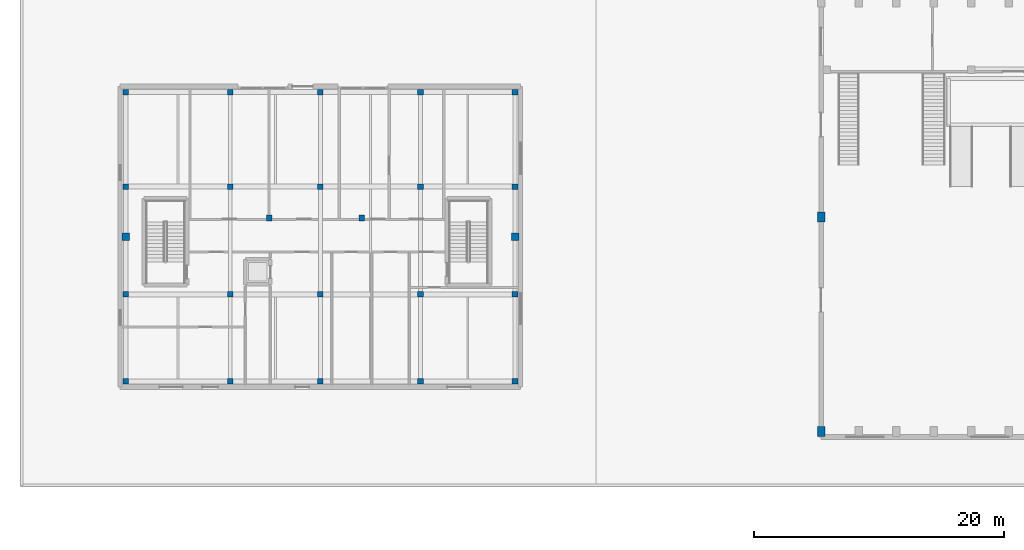
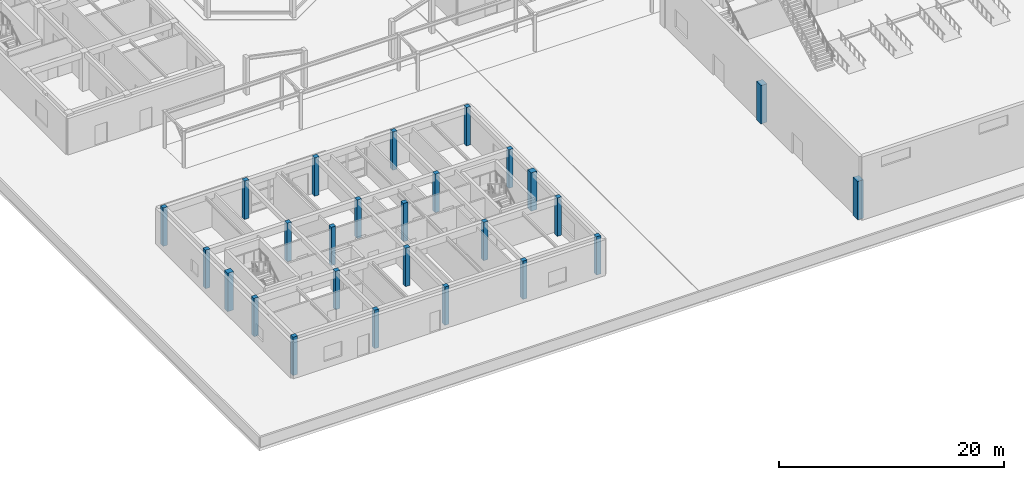
# One storey, part 1 of 114: 26 columns.
"""IFC4 building model written with IfcOpenShell, lengths in metres."""

from ifc_helpers import new_model, si_unit, direction, frame, origin, origin_2d, place, context, subcontext, project, spatial, rectangle, extrude, material, material_profile, profile_set, type_object, element, save


model = new_model("IFC4")

# Units and contexts
model_context = context("Model", 3, precision=1e-05, world=origin(), true_north=direction((0.0, 1.0)))
body_context = subcontext(model_context, "Body", "Model", "MODEL_VIEW")
ifc_project = project(units=[si_unit("LENGTHUNIT", "METRE"), si_unit("AREAUNIT", "SQUARE_METRE"), si_unit("VOLUMEUNIT", "CUBIC_METRE"), si_unit("PLANEANGLEUNIT", "RADIAN"), si_unit("MASSUNIT", "GRAM", prefix="KILO")], contexts=[model_context])

# Site, building, storey
site_placement = place(None, origin())
site = spatial("IfcSite", under=ifc_project, at=site_placement, CompositionType="ELEMENT")
building_placement = place(site_placement, origin())
building = spatial("IfcBuilding", under=site, at=building_placement, Name="Keldmere Railside Commons", CompositionType="ELEMENT")
storey_placement = place(building_placement, origin())
storey = spatial("IfcBuildingStorey", under=building, at=storey_placement, Name="L00", CompositionType="ELEMENT", Elevation=0.0)

# Columns
ifc_material_1 = material(Name="Concrete H-40 (C40/50)", Category="concrete")
ifc_material_profile_1 = material_profile(ifc_material_1, rectangle(XDim=0.60009765625, YDim=0.800048828125, at=origin_2d()), Name="RC-600x800")
ifc_profile_set_1 = profile_set([ifc_material_profile_1], Name="Concrete H-40 (C40/50)")
column_type_1 = type_object("IfcColumnType", Name="Community Hall Pier Column 600x800", PredefinedType="COLUMN", material=ifc_profile_set_1)
for number, where, z_axis, x_axis, name in (
    (1, (64.0, 12.449951171875, 0.0), (0.0, 0.0, 1.0), (1.0, 0.0, 0.0), "C-HALL COL-L00-0625"),
    (2, (64.0, 29.60009765625, 0.0), (0.0, 0.0, 1.0), (1.0, 0.0, 0.0), "C-HALL COL-L00-0628"),
):
    element("IfcColumn", number, at=place(storey_placement, frame(where, z_axis=z_axis, x_axis=x_axis)), inside=storey, type_object=column_type_1, Name=name, PredefinedType="COLUMN", context=body_context, shape_type="SweptSolid", body=[
        extrude(rectangle(XDim=0.60009765625, YDim=0.800048828125, at=origin_2d()), origin(), (0.0, 0.0, 1.0), 4.159912109375),
    ])
ifc_material_2 = material(Name="Concrete H-35 (C35/45)", Category="concrete")
ifc_material_profile_2 = material_profile(ifc_material_2, rectangle(XDim=0.60009765625, YDim=0.60009765625, at=origin_2d()), Name="RC-600x600")
ifc_profile_set_2 = profile_set([ifc_material_profile_2], Name="Concrete H-35 (C35/45)")
column_type_2 = type_object("IfcColumnType", Name="Mid-Rise RC Column 600x600", PredefinedType="COLUMN", material=ifc_profile_set_2)
for number, where, z_axis, x_axis, name in (
    (3, (8.449951171875, 28.0, 0.0), (0.0, 0.0, 1.0), (1.0, 0.0, 0.0), "C-600 COL-L00-0031"),
    (4, (39.550048828125, 28.0, 0.0), (0.0, 0.0, 1.0), (1.0, 0.0, 0.0), "C-600 COL-L00-0327"),
):
    element("IfcColumn", number, at=place(storey_placement, frame(where, z_axis=z_axis, x_axis=x_axis)), inside=storey, type_object=column_type_2, Name=name, PredefinedType="COLUMN", context=body_context, shape_type="SweptSolid", body=[
        extrude(rectangle(XDim=0.60009765625, YDim=0.60009765625, at=origin_2d()), origin(), (0.0, 0.0, 1.0), 4.159912109375),
    ])
ifc_material_profile_3 = material_profile(ifc_material_2, rectangle(XDim=0.449951171875, YDim=0.449951171875, at=origin_2d()), Name="RC-450x450")
ifc_profile_set_3 = profile_set([ifc_material_profile_3], Name="Concrete H-35 (C35/45)")
column_type_3 = type_object("IfcColumnType", Name="Top-Tier & Nursery RC Column 450x450", PredefinedType="COLUMN", material=ifc_profile_set_3)
for number, where, z_axis, x_axis, name in (
    (5, (8.449951171875, 16.449951171875, 0.0), (0.0, 0.0, 1.0), (1.0, 0.0, 0.0), "C-450 COL-L00-0025"),
    (6, (8.449951171875, 23.39990234375, 0.0), (0.0, 0.0, 1.0), (1.0, 0.0, 0.0), "C-450 COL-L00-0028"),
    (7, (8.449951171875, 32.0, 0.0), (0.0, 0.0, 1.0), (1.0, 0.0, 0.0), "C-450 COL-L00-0034"),
    (8, (8.449951171875, 39.550048828125, 0.0), (0.0, 0.0, 1.0), (1.0, 0.0, 0.0), "C-450 COL-L00-0037"),
    (9, (16.800048828125, 16.449951171875, 0.0), (0.0, 0.0, 1.0), (1.0, 0.0, 0.0), "C-450 COL-L00-0154"),
    (10, (16.800048828125, 23.39990234375, 0.0), (0.0, 0.0, 1.0), (1.0, 0.0, 0.0), "C-450 COL-L00-0157"),
    (11, (16.800048828125, 32.0, 0.0), (0.0, 0.0, 1.0), (1.0, 0.0, 0.0), "C-450 COL-L00-0160"),
    (12, (16.800048828125, 39.550048828125, 0.0), (0.0, 0.0, 1.0), (1.0, 0.0, 0.0), "C-450 COL-L00-0163"),
    (13, (19.89990234375, 29.5, 0.0), (0.0, 0.0, 1.0), (1.0, 0.0, 0.0), "C-450 COL-L00-0182"),
    (14, (24.0, 16.449951171875, 0.0), (0.0, 0.0, 1.0), (1.0, 0.0, 0.0), "C-450 COL-L00-0235"),
    (15, (24.0, 23.39990234375, 0.0), (0.0, 0.0, 1.0), (1.0, 0.0, 0.0), "C-450 COL-L00-0238"),
    (16, (24.0, 32.0, 0.0), (0.0, 0.0, 1.0), (1.0, 0.0, 0.0), "C-450 COL-L00-0241"),
    (17, (24.0, 39.550048828125, 0.0), (0.0, 0.0, 1.0), (1.0, 0.0, 0.0), "C-450 COL-L00-0244"),
    (18, (27.300048828125, 29.5, 0.0), (0.0, 0.0, 1.0), (1.0, 0.0, 0.0), "C-450 COL-L00-0275"),
    (19, (32.0, 16.449951171875, 0.0), (0.0, 0.0, 1.0), (1.0, 0.0, 0.0), "C-450 COL-L00-0289"),
    (20, (32.0, 23.39990234375, 0.0), (0.0, 0.0, 1.0), (1.0, 0.0, 0.0), "C-450 COL-L00-0292"),
    (21, (32.0, 32.0, 0.0), (0.0, 0.0, 1.0), (1.0, 0.0, 0.0), "C-450 COL-L00-0295"),
    (22, (32.0, 39.550048828125, 0.0), (0.0, 0.0, 1.0), (1.0, 0.0, 0.0), "C-450 COL-L00-0298"),
    (23, (39.550048828125, 16.449951171875, 0.0), (0.0, 0.0, 1.0), (1.0, 0.0, 0.0), "C-450 COL-L00-0321"),
    (24, (39.550048828125, 23.39990234375, 0.0), (0.0, 0.0, 1.0), (1.0, 0.0, 0.0), "C-450 COL-L00-0324"),
    (25, (39.550048828125, 32.0, 0.0), (0.0, 0.0, 1.0), (1.0, 0.0, 0.0), "C-450 COL-L00-0330"),
    (26, (39.550048828125, 39.550048828125, 0.0), (0.0, 0.0, 1.0), (1.0, 0.0, 0.0), "C-450 COL-L00-0333"),
):
    element("IfcColumn", number, at=place(storey_placement, frame(where, z_axis=z_axis, x_axis=x_axis)), inside=storey, type_object=column_type_3, Name=name, PredefinedType="COLUMN", context=body_context, shape_type="SweptSolid", body=[
        extrude(rectangle(XDim=0.449951171875, YDim=0.449951171875, at=origin_2d()), origin(), (0.0, 0.0, 1.0), 4.159912109375),
    ])

save(model, "model.ifc")
